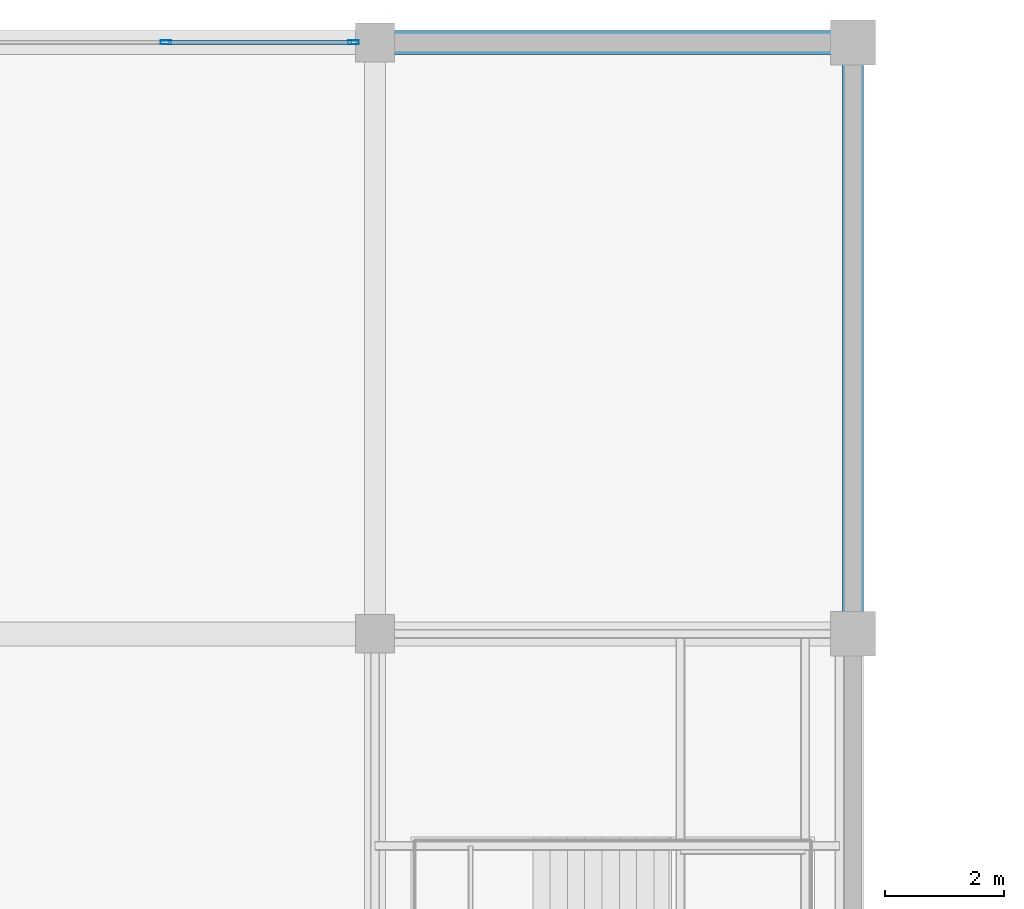
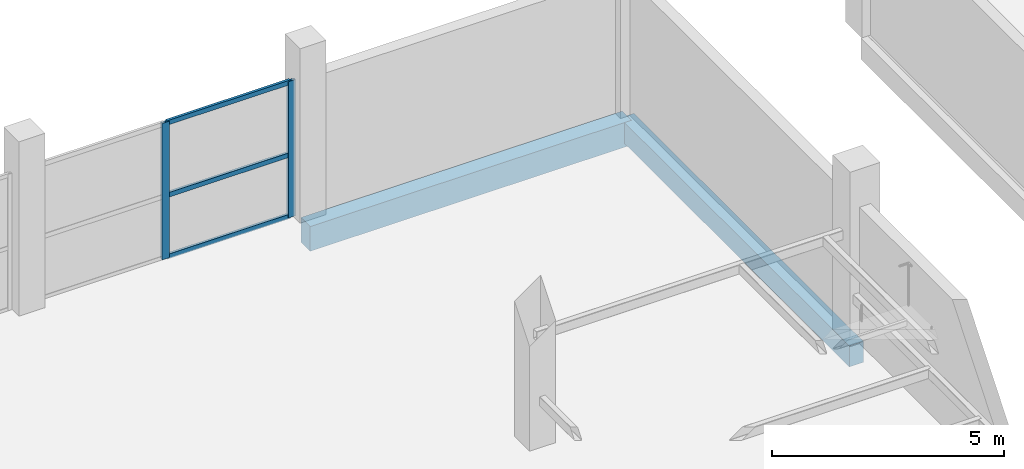
# One storey, part 46 of 69: 5 members, 2 beams, 1 element without a shape of its own.
"""IFC4 building model written with IfcOpenShell, lengths in metres."""

from ifc_helpers import new_model, si_unit, direction, frame, origin, origin_2d, place, context, subcontext, project, spatial, rectangle, hollow_rectangle, extrude, material, layer, layer_set, material_profile, profile_set, type_object, element, aggregate, save


model = new_model("IFC4")

# Units and contexts
model_context = context("Model", 3, precision=1e-05, world=origin(), true_north=direction((0.0, 1.0)))
body_context = subcontext(model_context, "Body", "Model", "MODEL_VIEW")
ifc_project = project(units=[si_unit("LENGTHUNIT", "METRE"), si_unit("AREAUNIT", "SQUARE_METRE"), si_unit("VOLUMEUNIT", "CUBIC_METRE"), si_unit("PLANEANGLEUNIT", "RADIAN"), si_unit("MASSUNIT", "GRAM", prefix="KILO")], contexts=[model_context])

# Site, building, storey
site_placement = place(None, origin())
site = spatial("IfcSite", under=ifc_project, at=site_placement, CompositionType="ELEMENT")
building_placement = place(site_placement, origin())
building = spatial("IfcBuilding", under=site, at=building_placement, Name="Sillaruma Civic Art Gallery", CompositionType="ELEMENT")
storey_placement = place(building_placement, frame((0.0, 0.0, 42.330078125)))
storey = spatial("IfcBuildingStorey", under=building, at=storey_placement, Name="L08", CompositionType="ELEMENT", Elevation=42.330078125)

# Beams
ifc_material_1 = material(Name="Concrete H35 (35 MPa)", Category="concrete")
ifc_material_profile_1 = material_profile(ifc_material_1, rectangle(XDim=0.35009765625, YDim=0.550048828125, at=origin_2d()), Name="RCB350x550")
ifc_profile_set_1 = profile_set([ifc_material_profile_1], Name="Concrete H35 (35 MPa)")
beam_type_1 = type_object("IfcBeamType", Name="BM-SPANDREL-RCB350x550", PredefinedType="SPANDREL", material=ifc_profile_set_1)
beam_1_placement = place(storey_placement, frame((92.0, 89.10009765625, -0.55517578125), z_axis=(0.0, 1.0, 0.0), x_axis=(-1.0, 0.0, 0.0)))
element("IfcBeam", 1, at=beam_1_placement, inside=storey, type_object=beam_type_1, Name="Beam BS-04 (L07:K:10-11)", PredefinedType="SPANDREL", context=body_context, shape_type="SweptSolid", body=[
    extrude(rectangle(XDim=0.35009765625, YDim=0.550048828125, at=origin_2d()), origin(), (0.0, 0.0, 1.0), 9.89990234375),
])
ifc_material_profile_2 = material_profile(ifc_material_1, rectangle(XDim=0.39990234375, YDim=0.64990234375, at=origin_2d()), Name="RCB400x650")
ifc_profile_set_2 = profile_set([ifc_material_profile_2], Name="Concrete H35 (35 MPa)")
beam_type_2 = type_object("IfcBeamType", Name="BM-SPANDREL-RCB400x650", PredefinedType="SPANDREL", material=ifc_profile_set_2)
beam_2_placement = place(storey_placement, frame((84.0, 99.0, -0.60498046875), z_axis=(1.0, 0.0, 0.0), x_axis=(0.0, 1.0, 0.0)))
element("IfcBeam", 2, at=beam_2_placement, inside=storey, type_object=beam_type_2, Name="Beam BS-02 (L07:11:J-K)", PredefinedType="SPANDREL", context=body_context, shape_type="SweptSolid", body=[
    extrude(rectangle(XDim=0.39990234375, YDim=0.64990234375, at=origin_2d()), origin(), (0.0, 0.0, 1.0), 8.0),
])

# Curtain wall, members
ifc_material_2 = material(Name="Thermally Broken Extruded Aluminium 6063-T6", Category="aluminium")
ifc_layer = layer(ifc_material_2, 0.179931640625, Name="Thermally Broken Extruded Aluminium 6063-T6")
ifc_layer_set = layer_set([ifc_layer], Name="Thermally Broken Extruded Aluminium 6063-T6")
curtain_wall_type = type_object("IfcCurtainWallType", Name="CW-UNI-57", PredefinedType="NOTDEFINED", material=ifc_layer_set)
curtain_wall_placement = place(storey_placement, origin())
curtain_wall = element("IfcCurtainWall", 3, at=curtain_wall_placement, inside=storey, type_object=curtain_wall_type, Name="Unitised Curtain Wall CW-57 (CW-L08-WBN-3)", PredefinedType="NOTDEFINED")
ifc_material_profile_3 = material_profile(ifc_material_2, hollow_rectangle(XDim=0.070068359375, YDim=0.179931640625, WallThickness=0.00390625, at=origin_2d()), Name="CWM70x180")
ifc_profile_set_3 = profile_set([ifc_material_profile_3], Name="Thermally Broken Extruded Aluminium 6063-T6")
member_type_1 = type_object("IfcMemberType", Name="MEM-MUL-CWM70x180", PredefinedType="MULLION", material=ifc_profile_set_3)
member_1_placement = place(storey_placement, frame((80.5, 99.0, 0.0), z_axis=(0.0, 0.0, 1.0), x_axis=(0.0, 1.0, 0.0)))
member_1 = element("IfcMember", 4, at=member_1_placement, type_object=member_type_1, Name="CW-57 mullion 2", PredefinedType="MULLION", context=body_context, shape_type="SweptSolid", body=[
    extrude(hollow_rectangle(XDim=0.070068359375, YDim=0.179931640625, WallThickness=0.00390625, at=origin_2d()), origin(), (0.0, 0.0, 1.0), 3.58984375),
])
member_2_placement = place(storey_placement, frame((83.639892578125, 99.0, 0.0), z_axis=(0.0, 0.0, 1.0), x_axis=(0.0, 1.0, 0.0)))
member_2 = element("IfcMember", 5, at=member_2_placement, type_object=member_type_1, Name="CW-57 mullion 3", PredefinedType="MULLION", context=body_context, shape_type="SweptSolid", body=[
    extrude(hollow_rectangle(XDim=0.070068359375, YDim=0.179931640625, WallThickness=0.00390625, at=origin_2d()), origin(), (0.0, 0.0, 1.0), 3.58984375),
])
ifc_material_profile_4 = material_profile(ifc_material_2, hollow_rectangle(XDim=0.06494140625, YDim=0.1201171875, WallThickness=0.00341796875, at=origin_2d()), Name="CWT65x120")
ifc_profile_set_4 = profile_set([ifc_material_profile_4], Name="Thermally Broken Extruded Aluminium 6063-T6")
member_type_2 = type_object("IfcMemberType", Name="MEM-TRN-CWT65x120", PredefinedType="USERDEFINED", material=ifc_profile_set_4)
member_3_placement = place(storey_placement, frame((80.534912109375, 99.0, 0.032470703125), z_axis=(1.0, 0.0, 0.0), x_axis=(0.0, 1.0, 0.0)))
member_3 = element("IfcMember", 6, at=member_3_placement, type_object=member_type_2, Name="CW-57 transom 2.1", ObjectType="TRANSOM", PredefinedType="USERDEFINED", context=body_context, shape_type="SweptSolid", body=[
    extrude(hollow_rectangle(XDim=0.06494140625, YDim=0.1201171875, WallThickness=0.00341796875, at=origin_2d()), origin(), (0.0, 0.0, 1.0), 3.070068359375),
])
member_4_placement = place(storey_placement, frame((80.534912109375, 99.0, 1.6513671875), z_axis=(1.0, 0.0, 0.0), x_axis=(0.0, 1.0, 0.0)))
member_4 = element("IfcMember", 7, at=member_4_placement, type_object=member_type_2, Name="CW-57 transom 2.2", ObjectType="TRANSOM", PredefinedType="USERDEFINED", context=body_context, shape_type="SweptSolid", body=[
    extrude(hollow_rectangle(XDim=0.06494140625, YDim=0.1201171875, WallThickness=0.00341796875, at=origin_2d()), origin(), (0.0, 0.0, 1.0), 3.070068359375),
])
member_5_placement = place(storey_placement, frame((80.534912109375, 99.0, 3.557373046875), z_axis=(1.0, 0.0, 0.0), x_axis=(0.0, 1.0, 0.0)))
member_5 = element("IfcMember", 8, at=member_5_placement, type_object=member_type_2, Name="CW-57 transom 2.3", ObjectType="TRANSOM", PredefinedType="USERDEFINED", context=body_context, shape_type="SweptSolid", body=[
    extrude(hollow_rectangle(XDim=0.06494140625, YDim=0.1201171875, WallThickness=0.00341796875, at=origin_2d()), origin(), (0.0, 0.0, 1.0), 3.070068359375),
])
aggregate(curtain_wall, [member_1, member_2, member_3, member_4, member_5])

save(model, "model.ifc")
